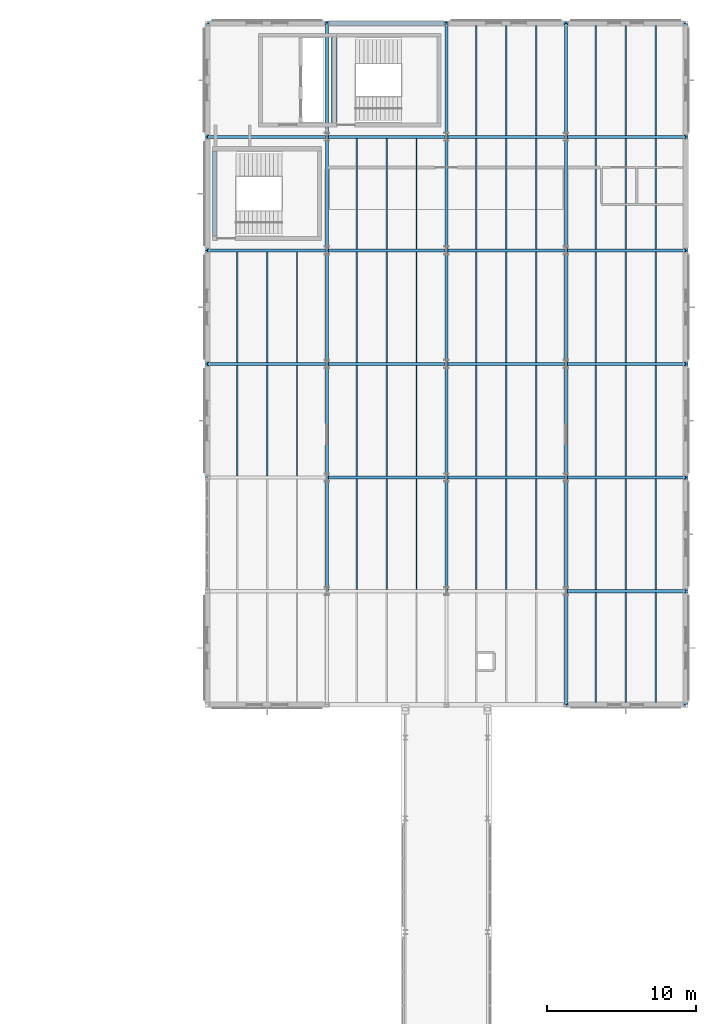
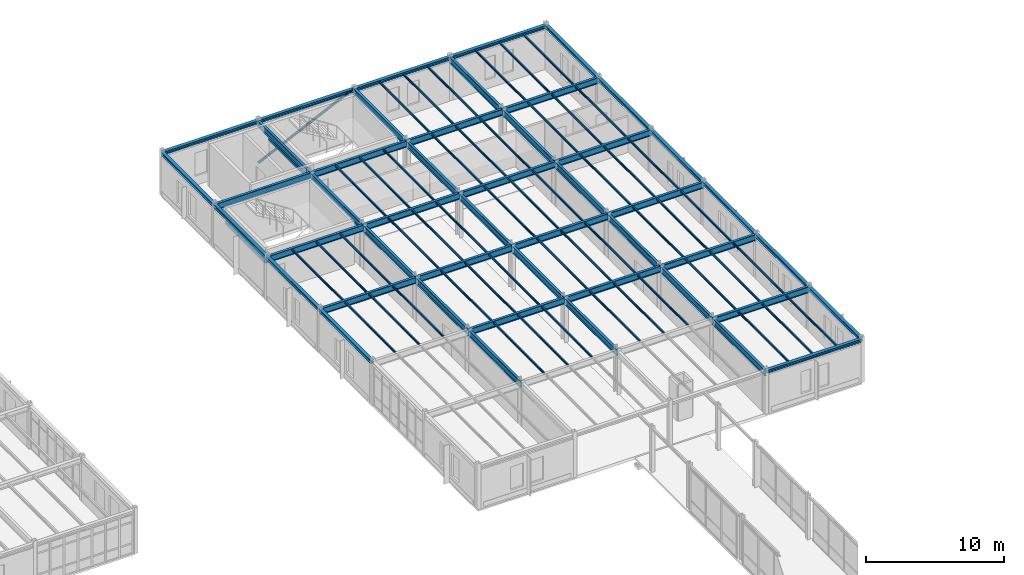
# One storey, part 117 of 165: 100 beams, 1 member.
"""IFC4 building model written with IfcOpenShell, lengths in metres."""

import ifcopenshell
import ifcopenshell.guid

model = None  # the IFC model being written
_history = None  # IfcOwnerHistory: only IFC2X3 demands one
_inside = {}  # id of a spatial element -> (the spatial element, [elements in it])
_under = {}  # id of a project, library or spatial element -> (it, [spatial elements below it])
_declared = {}  # id of a project -> (the project, [libraries it declares])
_typed = {}  # id of a type object -> (the type object, [elements of that type])
_made_of = {}  # id of a material, layer set ... -> (it, [elements and type objects made of it])


def new_model(schema):
    """Start an empty IFC model of exactly this schema.

    Asked for "IFC4X3", IfcOpenShell would pick the latest addendum, in which some entities
    have other attributes; the version numbers below select the first issue.
    IFC2X3 requires an IfcOwnerHistory on every rooted entity: one is made here for all.
    """
    global model, _history
    if schema == "IFC4X3":
        model = ifcopenshell.file(schema_version=(4, 3, 0, 0))
    else:
        model = ifcopenshell.file(schema=schema)
    _inside.clear()
    _under.clear()
    _declared.clear()
    _typed.clear()
    _made_of.clear()
    _history = None
    if model.schema == "IFC2X3":
        org = make("IfcOrganization", Name="unknown")
        user = make(
            "IfcPersonAndOrganization",
            ThePerson=make("IfcPerson", FamilyName="unknown"),
            TheOrganization=org,
        )
        app = make(
            "IfcApplication",
            ApplicationDeveloper=org,
            Version="unknown",
            ApplicationFullName="unknown",
            ApplicationIdentifier="unknown",
        )
        _history = make(
            "IfcOwnerHistory",
            OwningUser=user,
            OwningApplication=app,
            ChangeAction="ADDED",
            CreationDate=0,
        )
    return model


def make(cls, **values):
    """One entity of the class cls with the attributes given. An attribute that is None is left unset."""
    return model.create_entity(
        cls, **{name: value for name, value in values.items() if value is not None}
    )


def rooted(cls, **values):
    """An entity with a GlobalId (a new one), such as an element, a storey or a relation."""
    return make(cls, GlobalId=ifcopenshell.guid.new(), OwnerHistory=_history, **values)


def si_unit(unit_type, name, prefix=None):
    """IfcSIUnit, for example si_unit("LENGTHUNIT", "METRE", prefix="MILLI")."""
    return make("IfcSIUnit", UnitType=unit_type, Prefix=prefix, Name=name)


def assignment(units):
    """IfcUnitAssignment: the units of a project."""
    return None if units is None else make("IfcUnitAssignment", Units=units)


def point(xyz):
    """IfcCartesianPoint."""
    return None if xyz is None else make("IfcCartesianPoint", Coordinates=xyz)


def direction(xyz):
    """IfcDirection."""
    return None if xyz is None else make("IfcDirection", DirectionRatios=xyz)


def frame(location, z_axis=None, x_axis=None):
    """IfcAxis2Placement3D, a coordinate frame: its origin and axes. An axis left out is left unset."""
    return make(
        "IfcAxis2Placement3D",
        Location=point(location),
        Axis=direction(z_axis),
        RefDirection=direction(x_axis),
    )


def frame_2d(location, x_axis=None):
    """IfcAxis2Placement2D, a coordinate frame in the plane: its origin and x axis."""
    return make(
        "IfcAxis2Placement2D", Location=point(location), RefDirection=direction(x_axis)
    )


def origin():
    """The frame at (0, 0, 0) with its axes left unset."""
    return frame((0.0, 0.0, 0.0))


def origin_2d():
    """The frame at (0, 0) in the plane with its x axis left unset."""
    return frame_2d((0.0, 0.0))


def place(relative_to, where):
    """IfcLocalPlacement: puts the frame where relative to a parent placement (None: the world)."""
    return make(
        "IfcLocalPlacement", PlacementRelTo=relative_to, RelativePlacement=where
    )


def context(
    kind, dimensions, precision=None, world=None, true_north=None, identifier=None
):
    """IfcGeometricRepresentationContext, for example the 3D "Model" context."""
    return make(
        "IfcGeometricRepresentationContext",
        ContextIdentifier=identifier,
        ContextType=kind,
        CoordinateSpaceDimension=dimensions,
        Precision=precision,
        WorldCoordinateSystem=world,
        TrueNorth=true_north,
    )


def subcontext(parent, identifier, kind, view, scale=None):
    """IfcGeometricRepresentationSubContext, for example "Body" below "Model"."""
    return make(
        "IfcGeometricRepresentationSubContext",
        ContextIdentifier=identifier,
        ContextType=kind,
        ParentContext=parent,
        TargetScale=scale,
        TargetView=view,
    )


def project(units=None, contexts=None):
    """IfcProject with its units and contexts."""
    return rooted(
        "IfcProject",
        Name="project",
        RepresentationContexts=contexts,
        UnitsInContext=assignment(units),
    )


def spatial(cls, under=None, at=None, **own):
    """A site, building, storey or space (cls), placed at a placement, below another one or the project."""
    s = rooted(cls, ObjectPlacement=at, **own)
    if under is not None:
        _under.setdefault(under.id(), (under, []))[1].append(s)
    return s


def profile(cls, at=None, kind="AREA", **sizes):
    """A parametric profile (cls). Its sizes go by their IFC names, for example OverallWidth=200.0."""
    return make(cls, ProfileType=kind, Position=at, **sizes)


def rectangle(**sizes):
    """IfcRectangleProfileDef."""
    return profile("IfcRectangleProfileDef", **sizes)


def hollow_circle(**sizes):
    """IfcCircleHollowProfileDef."""
    return profile("IfcCircleHollowProfileDef", **sizes)


def i_section(**sizes):
    """IfcIShapeProfileDef."""
    return profile("IfcIShapeProfileDef", **sizes)


def extrude(swept, where, along, depth):
    """IfcExtrudedAreaSolid: the profile swept, set in the frame where, extruded along a direction by depth."""
    return make(
        "IfcExtrudedAreaSolid",
        SweptArea=swept,
        Position=where,
        ExtrudedDirection=direction(along),
        Depth=depth,
    )


def shape(context_of_items, identifier, shape_type, items):
    """IfcShapeRepresentation: the items that make up one representation, for example the "Body"."""
    return make(
        "IfcShapeRepresentation",
        ContextOfItems=context_of_items,
        RepresentationIdentifier=identifier,
        RepresentationType=shape_type,
        Items=items,
    )


def material(Name=None, Category=None):
    """IfcMaterial."""
    return make("IfcMaterial", Name=Name, Category=Category)


def material_profile(
    of_material, cross_section, Name=None, Category=None, Priority=None
):
    """IfcMaterialProfile: a cross section and its material."""
    return make(
        "IfcMaterialProfile",
        Name=Name,
        Material=of_material,
        Profile=cross_section,
        Priority=Priority,
        Category=Category,
    )


def profile_set(profiles, Name=None, composite=None):
    """IfcMaterialProfileSet."""
    return make(
        "IfcMaterialProfileSet",
        Name=Name,
        MaterialProfiles=profiles,
        CompositeProfile=composite,
    )


def made_of(thing, what):
    """Note that an element or type object is made of a material, layer set ...; save() writes the relation."""
    if what is not None:
        _made_of.setdefault(what.id(), (what, []))[1].append(thing)
    return thing


def type_object(cls, material=None, **own):
    """A type object (cls), such as IfcWallType, which elements share."""
    return made_of(rooted(cls, **own), material)


def element(
    cls,
    number,
    at=None,
    inside=None,
    cuts=None,
    type_object=None,
    material=None,
    context=None,
    identifier="Body",
    shape_type=None,
    held_by="IfcProductDefinitionShape",
    body=None,
    shapes=None,
    **own,
):
    """One element of the class cls, such as IfcWall. Its Tag is "e" and its number.

    at: its placement. inside: the storey or other place that contains it. cuts: it is an
    opening in that element (IfcRelVoidsElement). A single representation is given by context,
    identifier, shape_type and body (its items); several are given by shapes. held_by: the class
    of the entity that holds the representations. save() writes the other relations.
    """
    e = rooted(cls, Tag="e%d" % number, ObjectPlacement=at, **own)
    if body is not None:
        shapes = [shape(context, identifier, shape_type, body)]
    if shapes is not None:
        e.Representation = make(held_by, Representations=shapes)
    if inside is not None:
        _inside.setdefault(inside.id(), (inside, []))[1].append(e)
    if cuts is not None:
        rooted(
            "IfcRelVoidsElement", RelatingBuildingElement=cuts, RelatedOpeningElement=e
        )
    if type_object is not None:
        _typed.setdefault(type_object.id(), (type_object, []))[1].append(e)
    return made_of(e, material)


def aggregate(whole, parts):
    """IfcRelAggregates: a whole, such as a stair, and the parts it consists of."""
    return rooted("IfcRelAggregates", RelatingObject=whole, RelatedObjects=parts)


def save(model, path):
    """Write the relations noted so far, then the file.

    IfcRelAggregates (storeys below a building ...), IfcRelContainedInSpatialStructure (elements
    in a storey), IfcRelDefinesByType, IfcRelAssociatesMaterial and IfcRelDeclares: one each for
    every whole, place, type object, material and project.
    """
    for whole, parts in _under.values():
        aggregate(whole, parts)
    for where, things in _inside.values():
        rooted(
            "IfcRelContainedInSpatialStructure",
            RelatedElements=things,
            RelatingStructure=where,
        )
    for kind, things in _typed.values():
        rooted("IfcRelDefinesByType", RelatedObjects=things, RelatingType=kind)
    for what, things in _made_of.values():
        rooted("IfcRelAssociatesMaterial", RelatedObjects=things, RelatingMaterial=what)
    for by, libraries in _declared.values():
        rooted("IfcRelDeclares", RelatingContext=by, RelatedDefinitions=libraries)
    model.write(path)


model = new_model("IFC4")

# Units and contexts
model_context = context("Model", 3, precision=1e-05, world=origin(), true_north=direction((0.0, 1.0)))
body_context = subcontext(model_context, "Body", "Model", "MODEL_VIEW")
ifc_project = project(units=[si_unit("LENGTHUNIT", "METRE"), si_unit("AREAUNIT", "SQUARE_METRE"), si_unit("VOLUMEUNIT", "CUBIC_METRE"), si_unit("PLANEANGLEUNIT", "RADIAN"), si_unit("MASSUNIT", "GRAM", prefix="KILO")], contexts=[model_context])

# Site, building, storey
site_placement = place(None, origin())
site = spatial("IfcSite", under=ifc_project, at=site_placement, CompositionType="ELEMENT")
building_placement = place(site_placement, origin())
building = spatial("IfcBuilding", under=site, at=building_placement, Name="Montecoro Central Library", CompositionType="ELEMENT")
storey_placement = place(building_placement, frame((0.0, 0.0, 5.10009765625)))
storey = spatial("IfcBuildingStorey", under=building, at=storey_placement, Name="L01", CompositionType="ELEMENT", Elevation=5.10009765625)

# Beams
ifc_material_1 = material(Name="Steel S355J2", Category="steel")
ifc_material_profile_1 = material_profile(ifc_material_1, i_section(OverallWidth=0.2099609375, OverallDepth=0.550048828125, WebThickness=0.010986328125, FlangeThickness=0.01708984375, at=origin_2d()), Name="IPE 550")
ifc_profile_set_1 = profile_set([ifc_material_profile_1], Name="Steel S355J2")
beam_type_1 = type_object("IfcBeamType", Name="BM-G-IPE550", PredefinedType="USERDEFINED", material=ifc_profile_set_1)
for number, where, z_axis, x_axis, name in (
    (1, (165.0048828125, 81.0, 3.5498046875), (1.0, 0.0, 0.0), (0.0, 1.0, 0.0), "V5-L01-BX-2122-L"),
    (2, (149.0048828125, 88.60009765625, 3.5498046875), (1.0, 0.0, 0.0), (0.0, 1.0, 0.0), "V5-L01-BX-1920-M"),
    (3, (157.0048828125, 88.60009765625, 3.5498046875), (1.0, 0.0, 0.0), (0.0, 1.0, 0.0), "V5-L01-BX-2021-M"),
    (4, (165.0048828125, 88.60009765625, 3.5498046875), (1.0, 0.0, 0.0), (0.0, 1.0, 0.0), "V5-L01-BX-2122-M"),
    (5, (141.0048828125, 96.199951171875, 3.5498046875), (1.0, 0.0, 0.0), (0.0, 1.0, 0.0), "V5-L01-BX-1819-N"),
    (6, (149.0048828125, 96.199951171875, 3.5498046875), (1.0, 0.0, 0.0), (0.0, 1.0, 0.0), "V5-L01-BX-1920-N"),
    (7, (157.0048828125, 96.199951171875, 3.5498046875), (1.0, 0.0, 0.0), (0.0, 1.0, 0.0), "V5-L01-BX-2021-N"),
    (8, (165.0048828125, 96.199951171875, 3.5498046875), (1.0, 0.0, 0.0), (0.0, 1.0, 0.0), "V5-L01-BX-2122-N"),
    (9, (141.0048828125, 103.800048828125, 3.5498046875), (1.0, 0.0, 0.0), (0.0, 1.0, 0.0), "V5-L01-BX-1819-P"),
    (10, (149.0048828125, 103.800048828125, 3.5498046875), (1.0, 0.0, 0.0), (0.0, 1.0, 0.0), "V5-L01-BX-1920-P"),
    (11, (157.0048828125, 103.800048828125, 3.5498046875), (1.0, 0.0, 0.0), (0.0, 1.0, 0.0), "V5-L01-BX-2021-P"),
    (12, (165.0048828125, 103.800048828125, 3.5498046875), (1.0, 0.0, 0.0), (0.0, 1.0, 0.0), "V5-L01-BX-2122-P"),
    (13, (141.0048828125, 111.39990234375, 3.5498046875), (1.0, 0.0, 0.0), (0.0, 1.0, 0.0), "V5-L01-BX-1819-Q"),
    (14, (149.0048828125, 111.39990234375, 3.5498046875), (1.0, 0.0, 0.0), (0.0, 1.0, 0.0), "V5-L01-BX-1920-Q"),
    (15, (157.0048828125, 111.39990234375, 3.5498046875), (1.0, 0.0, 0.0), (0.0, 1.0, 0.0), "V5-L01-BX-2021-Q"),
    (16, (165.0048828125, 111.39990234375, 3.5498046875), (1.0, 0.0, 0.0), (0.0, 1.0, 0.0), "V5-L01-BX-2122-Q"),
):
    element("IfcBeam", number, at=place(storey_placement, frame(where, z_axis=z_axis, x_axis=x_axis)), inside=storey, type_object=beam_type_1, Name=name, ObjectType="GIRDER", PredefinedType="USERDEFINED", context=body_context, shape_type="SweptSolid", body=[
        extrude(i_section(OverallWidth=0.2099609375, OverallDepth=0.550048828125, WebThickness=0.010986328125, FlangeThickness=0.01708984375, at=origin_2d()), origin(), (0.0, 0.0, 1.0), 7.990234375),
    ])
for number, where, z_axis, x_axis, name in (
    (17, (149.0, 81.0048828125, 3.5498046875), (0.0, 1.0, 0.0), (-1.0, 0.0, 0.0), "V5-L01-BY-19-LM"),
    (18, (149.0, 88.60498046875, 3.5498046875), (0.0, 1.0, 0.0), (-1.0, 0.0, 0.0), "V5-L01-BY-19-MN"),
):
    element("IfcBeam", number, at=place(storey_placement, frame(where, z_axis=z_axis, x_axis=x_axis)), inside=storey, type_object=beam_type_1, Name=name, ObjectType="GIRDER", PredefinedType="USERDEFINED", context=body_context, shape_type="SweptSolid", body=[
        extrude(i_section(OverallWidth=0.2099609375, OverallDepth=0.550048828125, WebThickness=0.010986328125, FlangeThickness=0.01708984375, at=origin_2d()), origin(), (0.0, 0.0, 1.0), 7.590087890625),
    ])
beam_1_placement = place(storey_placement, frame((149.0, 96.205078125, 3.5498046875), z_axis=(0.0, 1.0, 0.0), x_axis=(-1.0, 0.0, 0.0)))
element("IfcBeam", 19, at=beam_1_placement, inside=storey, type_object=beam_type_1, Name="V5-L01-BY-19-NP", ObjectType="GIRDER", PredefinedType="USERDEFINED", context=body_context, shape_type="SweptSolid", body=[
    extrude(i_section(OverallWidth=0.2099609375, OverallDepth=0.550048828125, WebThickness=0.010986328125, FlangeThickness=0.01708984375, at=origin_2d()), origin(), (0.0, 0.0, 1.0), 7.58984375),
])
for number, where, z_axis, x_axis, name in (
    (20, (149.0, 103.804931640625, 3.5498046875), (0.0, 1.0, 0.0), (-1.0, 0.0, 0.0), "V5-L01-BY-19-PQ"),
    (21, (149.0, 111.405029296875, 3.5498046875), (0.0, 1.0, 0.0), (-1.0, 0.0, 0.0), "V5-L01-BY-19-QR"),
    (22, (157.0, 81.0048828125, 3.5498046875), (0.0, 1.0, 0.0), (-1.0, 0.0, 0.0), "V5-L01-BY-20-LM"),
    (23, (157.0, 88.60498046875, 3.5498046875), (0.0, 1.0, 0.0), (-1.0, 0.0, 0.0), "V5-L01-BY-20-MN"),
):
    element("IfcBeam", number, at=place(storey_placement, frame(where, z_axis=z_axis, x_axis=x_axis)), inside=storey, type_object=beam_type_1, Name=name, ObjectType="GIRDER", PredefinedType="USERDEFINED", context=body_context, shape_type="SweptSolid", body=[
        extrude(i_section(OverallWidth=0.2099609375, OverallDepth=0.550048828125, WebThickness=0.010986328125, FlangeThickness=0.01708984375, at=origin_2d()), origin(), (0.0, 0.0, 1.0), 7.590087890625),
    ])
beam_2_placement = place(storey_placement, frame((157.0, 96.205078125, 3.5498046875), z_axis=(0.0, 1.0, 0.0), x_axis=(-1.0, 0.0, 0.0)))
element("IfcBeam", 24, at=beam_2_placement, inside=storey, type_object=beam_type_1, Name="V5-L01-BY-20-NP", ObjectType="GIRDER", PredefinedType="USERDEFINED", context=body_context, shape_type="SweptSolid", body=[
    extrude(i_section(OverallWidth=0.2099609375, OverallDepth=0.550048828125, WebThickness=0.010986328125, FlangeThickness=0.01708984375, at=origin_2d()), origin(), (0.0, 0.0, 1.0), 7.58984375),
])
for number, where, z_axis, x_axis, name in (
    (25, (157.0, 103.804931640625, 3.5498046875), (0.0, 1.0, 0.0), (-1.0, 0.0, 0.0), "V5-L01-BY-20-PQ"),
    (26, (157.0, 111.405029296875, 3.5498046875), (0.0, 1.0, 0.0), (-1.0, 0.0, 0.0), "V5-L01-BY-20-QR"),
    (27, (165.0, 73.405029296875, 3.5498046875), (0.0, 1.0, 0.0), (-1.0, 0.0, 0.0), "V5-L01-BY-21-KL"),
    (28, (165.0, 81.0048828125, 3.5498046875), (0.0, 1.0, 0.0), (-1.0, 0.0, 0.0), "V5-L01-BY-21-LM"),
    (29, (165.0, 88.60498046875, 3.5498046875), (0.0, 1.0, 0.0), (-1.0, 0.0, 0.0), "V5-L01-BY-21-MN"),
):
    element("IfcBeam", number, at=place(storey_placement, frame(where, z_axis=z_axis, x_axis=x_axis)), inside=storey, type_object=beam_type_1, Name=name, ObjectType="GIRDER", PredefinedType="USERDEFINED", context=body_context, shape_type="SweptSolid", body=[
        extrude(i_section(OverallWidth=0.2099609375, OverallDepth=0.550048828125, WebThickness=0.010986328125, FlangeThickness=0.01708984375, at=origin_2d()), origin(), (0.0, 0.0, 1.0), 7.590087890625),
    ])
beam_3_placement = place(storey_placement, frame((165.0, 96.205078125, 3.5498046875), z_axis=(0.0, 1.0, 0.0), x_axis=(-1.0, 0.0, 0.0)))
element("IfcBeam", 30, at=beam_3_placement, inside=storey, type_object=beam_type_1, Name="V5-L01-BY-21-NP", ObjectType="GIRDER", PredefinedType="USERDEFINED", context=body_context, shape_type="SweptSolid", body=[
    extrude(i_section(OverallWidth=0.2099609375, OverallDepth=0.550048828125, WebThickness=0.010986328125, FlangeThickness=0.01708984375, at=origin_2d()), origin(), (0.0, 0.0, 1.0), 7.58984375),
])
for number, where, z_axis, x_axis, name in (
    (31, (165.0, 103.804931640625, 3.5498046875), (0.0, 1.0, 0.0), (-1.0, 0.0, 0.0), "V5-L01-BY-21-PQ"),
    (32, (165.0, 111.405029296875, 3.5498046875), (0.0, 1.0, 0.0), (-1.0, 0.0, 0.0), "V5-L01-BY-21-QR"),
):
    element("IfcBeam", number, at=place(storey_placement, frame(where, z_axis=z_axis, x_axis=x_axis)), inside=storey, type_object=beam_type_1, Name=name, ObjectType="GIRDER", PredefinedType="USERDEFINED", context=body_context, shape_type="SweptSolid", body=[
        extrude(i_section(OverallWidth=0.2099609375, OverallDepth=0.550048828125, WebThickness=0.010986328125, FlangeThickness=0.01708984375, at=origin_2d()), origin(), (0.0, 0.0, 1.0), 7.590087890625),
    ])
ifc_material_2 = material(Name="Steel S355", Category="steel")
ifc_material_profile_2 = material_profile(ifc_material_2, i_section(OverallWidth=0.091064453125, OverallDepth=0.179931640625, WebThickness=0.00537109375, FlangeThickness=0.008056640625, at=origin_2d()), Name="IPE 180")
ifc_profile_set_2 = profile_set([ifc_material_profile_2], Name="Steel S355")
beam_type_2 = type_object("IfcBeamType", Name="BM-J-IPE180", PredefinedType="JOIST", material=ifc_profile_set_2)
for number, where, z_axis, x_axis, name in (
    (33, (143.0, 88.701904296875, 3.73486328125), (0.0, 1.0, 0.0), (-1.0, 0.0, 0.0), "V5-L01-JS-1819-MN-1"),
    (34, (145.0, 88.701904296875, 3.73486328125), (0.0, 1.0, 0.0), (-1.0, 0.0, 0.0), "V5-L01-JS-1819-MN-2"),
    (35, (147.0, 88.701904296875, 3.73486328125), (0.0, 1.0, 0.0), (-1.0, 0.0, 0.0), "V5-L01-JS-1819-MN-3"),
    (36, (143.0, 96.302001953125, 3.73486328125), (0.0, 1.0, 0.0), (-1.0, 0.0, 0.0), "V5-L01-JS-1819-NP-1"),
    (37, (145.0, 96.302001953125, 3.73486328125), (0.0, 1.0, 0.0), (-1.0, 0.0, 0.0), "V5-L01-JS-1819-NP-2"),
    (38, (147.0, 96.302001953125, 3.73486328125), (0.0, 1.0, 0.0), (-1.0, 0.0, 0.0), "V5-L01-JS-1819-NP-3"),
    (39, (151.0, 81.10205078125, 3.73486328125), (0.0, 1.0, 0.0), (-1.0, 0.0, 0.0), "V5-L01-JS-1920-LM-1"),
    (40, (153.0, 81.10205078125, 3.73486328125), (0.0, 1.0, 0.0), (-1.0, 0.0, 0.0), "V5-L01-JS-1920-LM-2"),
    (41, (155.0, 81.10205078125, 3.73486328125), (0.0, 1.0, 0.0), (-1.0, 0.0, 0.0), "V5-L01-JS-1920-LM-3"),
    (42, (151.0, 88.701904296875, 3.73486328125), (0.0, 1.0, 0.0), (-1.0, 0.0, 0.0), "V5-L01-JS-1920-MN-1"),
    (43, (153.0, 88.701904296875, 3.73486328125), (0.0, 1.0, 0.0), (-1.0, 0.0, 0.0), "V5-L01-JS-1920-MN-2"),
    (44, (155.0, 88.701904296875, 3.73486328125), (0.0, 1.0, 0.0), (-1.0, 0.0, 0.0), "V5-L01-JS-1920-MN-3"),
    (45, (151.0, 96.302001953125, 3.73486328125), (0.0, 1.0, 0.0), (-1.0, 0.0, 0.0), "V5-L01-JS-1920-NP-1"),
    (46, (153.0, 96.302001953125, 3.73486328125), (0.0, 1.0, 0.0), (-1.0, 0.0, 0.0), "V5-L01-JS-1920-NP-2"),
    (47, (155.0, 96.302001953125, 3.73486328125), (0.0, 1.0, 0.0), (-1.0, 0.0, 0.0), "V5-L01-JS-1920-NP-3"),
    (48, (151.0, 103.902099609375, 3.73486328125), (0.0, 1.0, 0.0), (-1.0, 0.0, 0.0), "V5-L01-JS-1920-PQ-1"),
    (49, (153.0, 103.902099609375, 3.73486328125), (0.0, 1.0, 0.0), (-1.0, 0.0, 0.0), "V5-L01-JS-1920-PQ-2"),
    (50, (155.0, 103.902099609375, 3.73486328125), (0.0, 1.0, 0.0), (-1.0, 0.0, 0.0), "V5-L01-JS-1920-PQ-3"),
    (51, (159.0, 81.10205078125, 3.73486328125), (0.0, 1.0, 0.0), (-1.0, 0.0, 0.0), "V5-L01-JS-2021-LM-1"),
    (52, (161.0, 81.10205078125, 3.73486328125), (0.0, 1.0, 0.0), (-1.0, 0.0, 0.0), "V5-L01-JS-2021-LM-2"),
    (53, (163.0, 81.10205078125, 3.73486328125), (0.0, 1.0, 0.0), (-1.0, 0.0, 0.0), "V5-L01-JS-2021-LM-3"),
    (54, (159.0, 88.701904296875, 3.73486328125), (0.0, 1.0, 0.0), (-1.0, 0.0, 0.0), "V5-L01-JS-2021-MN-1"),
    (55, (161.0, 88.701904296875, 3.73486328125), (0.0, 1.0, 0.0), (-1.0, 0.0, 0.0), "V5-L01-JS-2021-MN-2"),
    (56, (163.0, 88.701904296875, 3.73486328125), (0.0, 1.0, 0.0), (-1.0, 0.0, 0.0), "V5-L01-JS-2021-MN-3"),
    (57, (159.0, 96.302001953125, 3.73486328125), (0.0, 1.0, 0.0), (-1.0, 0.0, 0.0), "V5-L01-JS-2021-NP-1"),
    (58, (161.0, 96.302001953125, 3.73486328125), (0.0, 1.0, 0.0), (-1.0, 0.0, 0.0), "V5-L01-JS-2021-NP-2"),
    (59, (163.0, 96.302001953125, 3.73486328125), (0.0, 1.0, 0.0), (-1.0, 0.0, 0.0), "V5-L01-JS-2021-NP-3"),
    (60, (159.0, 103.902099609375, 3.73486328125), (0.0, 1.0, 0.0), (-1.0, 0.0, 0.0), "V5-L01-JS-2021-PQ-1"),
    (61, (161.0, 103.902099609375, 3.73486328125), (0.0, 1.0, 0.0), (-1.0, 0.0, 0.0), "V5-L01-JS-2021-PQ-2"),
    (62, (163.0, 103.902099609375, 3.73486328125), (0.0, 1.0, 0.0), (-1.0, 0.0, 0.0), "V5-L01-JS-2021-PQ-3"),
):
    element("IfcBeam", number, at=place(storey_placement, frame(where, z_axis=z_axis, x_axis=x_axis)), inside=storey, type_object=beam_type_2, Name=name, PredefinedType="JOIST", context=body_context, shape_type="SweptSolid", body=[
        extrude(i_section(OverallWidth=0.091064453125, OverallDepth=0.179931640625, WebThickness=0.00537109375, FlangeThickness=0.008056640625, at=origin_2d()), origin(), (0.0, 0.0, 1.0), 7.39599609375),
    ])
for number, where, z_axis, x_axis, name in (
    (63, (159.0, 111.501953125, 3.73486328125), (0.0, 1.0, 0.0), (-1.0, 0.0, 0.0), "V5-L01-JS-2021-QR-1"),
    (64, (161.0, 111.501953125, 3.73486328125), (0.0, 1.0, 0.0), (-1.0, 0.0, 0.0), "V5-L01-JS-2021-QR-2"),
    (65, (163.0, 111.501953125, 3.73486328125), (0.0, 1.0, 0.0), (-1.0, 0.0, 0.0), "V5-L01-JS-2021-QR-3"),
):
    element("IfcBeam", number, at=place(storey_placement, frame(where, z_axis=z_axis, x_axis=x_axis)), inside=storey, type_object=beam_type_2, Name=name, PredefinedType="JOIST", context=body_context, shape_type="SweptSolid", body=[
        extrude(i_section(OverallWidth=0.091064453125, OverallDepth=0.179931640625, WebThickness=0.00537109375, FlangeThickness=0.008056640625, at=origin_2d()), origin(), (0.0, 0.0, 1.0), 7.361083984375),
    ])
for number, where, z_axis, x_axis, name in (
    (66, (167.0, 73.537109375, 3.73486328125), (0.0, 1.0, 0.0), (-1.0, 0.0, 0.0), "V5-L01-JS-2122-KL-1"),
    (67, (169.0, 73.537109375, 3.73486328125), (0.0, 1.0, 0.0), (-1.0, 0.0, 0.0), "V5-L01-JS-2122-KL-2"),
    (68, (171.0, 73.537109375, 3.73486328125), (0.0, 1.0, 0.0), (-1.0, 0.0, 0.0), "V5-L01-JS-2122-KL-3"),
):
    element("IfcBeam", number, at=place(storey_placement, frame(where, z_axis=z_axis, x_axis=x_axis)), inside=storey, type_object=beam_type_2, Name=name, PredefinedType="JOIST", context=body_context, shape_type="SweptSolid", body=[
        extrude(i_section(OverallWidth=0.091064453125, OverallDepth=0.179931640625, WebThickness=0.00537109375, FlangeThickness=0.008056640625, at=origin_2d()), origin(), (0.0, 0.0, 1.0), 7.36083984375),
    ])
for number, where, z_axis, x_axis, name in (
    (69, (167.0, 81.10205078125, 3.73486328125), (0.0, 1.0, 0.0), (-1.0, 0.0, 0.0), "V5-L01-JS-2122-LM-1"),
    (70, (169.0, 81.10205078125, 3.73486328125), (0.0, 1.0, 0.0), (-1.0, 0.0, 0.0), "V5-L01-JS-2122-LM-2"),
    (71, (171.0, 81.10205078125, 3.73486328125), (0.0, 1.0, 0.0), (-1.0, 0.0, 0.0), "V5-L01-JS-2122-LM-3"),
    (72, (167.0, 88.701904296875, 3.73486328125), (0.0, 1.0, 0.0), (-1.0, 0.0, 0.0), "V5-L01-JS-2122-MN-1"),
    (73, (169.0, 88.701904296875, 3.73486328125), (0.0, 1.0, 0.0), (-1.0, 0.0, 0.0), "V5-L01-JS-2122-MN-2"),
    (74, (171.0, 88.701904296875, 3.73486328125), (0.0, 1.0, 0.0), (-1.0, 0.0, 0.0), "V5-L01-JS-2122-MN-3"),
    (75, (167.0, 96.302001953125, 3.73486328125), (0.0, 1.0, 0.0), (-1.0, 0.0, 0.0), "V5-L01-JS-2122-NP-1"),
    (76, (169.0, 96.302001953125, 3.73486328125), (0.0, 1.0, 0.0), (-1.0, 0.0, 0.0), "V5-L01-JS-2122-NP-2"),
    (77, (171.0, 96.302001953125, 3.73486328125), (0.0, 1.0, 0.0), (-1.0, 0.0, 0.0), "V5-L01-JS-2122-NP-3"),
    (78, (167.0, 103.902099609375, 3.73486328125), (0.0, 1.0, 0.0), (-1.0, 0.0, 0.0), "V5-L01-JS-2122-PQ-1"),
    (79, (169.0, 103.902099609375, 3.73486328125), (0.0, 1.0, 0.0), (-1.0, 0.0, 0.0), "V5-L01-JS-2122-PQ-2"),
    (80, (171.0, 103.902099609375, 3.73486328125), (0.0, 1.0, 0.0), (-1.0, 0.0, 0.0), "V5-L01-JS-2122-PQ-3"),
):
    element("IfcBeam", number, at=place(storey_placement, frame(where, z_axis=z_axis, x_axis=x_axis)), inside=storey, type_object=beam_type_2, Name=name, PredefinedType="JOIST", context=body_context, shape_type="SweptSolid", body=[
        extrude(i_section(OverallWidth=0.091064453125, OverallDepth=0.179931640625, WebThickness=0.00537109375, FlangeThickness=0.008056640625, at=origin_2d()), origin(), (0.0, 0.0, 1.0), 7.39599609375),
    ])
for number, where, z_axis, x_axis, name in (
    (81, (167.0, 111.501953125, 3.73486328125), (0.0, 1.0, 0.0), (-1.0, 0.0, 0.0), "V5-L01-JS-2122-QR-1"),
    (82, (169.0, 111.501953125, 3.73486328125), (0.0, 1.0, 0.0), (-1.0, 0.0, 0.0), "V5-L01-JS-2122-QR-2"),
    (83, (171.0, 111.501953125, 3.73486328125), (0.0, 1.0, 0.0), (-1.0, 0.0, 0.0), "V5-L01-JS-2122-QR-3"),
):
    element("IfcBeam", number, at=place(storey_placement, frame(where, z_axis=z_axis, x_axis=x_axis)), inside=storey, type_object=beam_type_2, Name=name, PredefinedType="JOIST", context=body_context, shape_type="SweptSolid", body=[
        extrude(i_section(OverallWidth=0.091064453125, OverallDepth=0.179931640625, WebThickness=0.00537109375, FlangeThickness=0.008056640625, at=origin_2d()), origin(), (0.0, 0.0, 1.0), 7.361083984375),
    ])
ifc_material_3 = material(Name="Concrete C35/45", Category="concrete")
ifc_material_profile_3 = material_profile(ifc_material_3, rectangle(XDim=0.35009765625, YDim=0.60009765625, at=origin_2d()), Name="RC LNT 600x350")
ifc_profile_set_3 = profile_set([ifc_material_profile_3], Name="Concrete C35/45")
beam_type_3 = type_object("IfcBeamType", Name="BM-LN-RC01", PredefinedType="LINTEL", material=ifc_profile_set_3)
beam_4_placement = place(storey_placement, frame((149.5, 112.35009765625, 2.75), z_axis=(0.0, 1.0, 0.0), x_axis=(-1.0, 0.0, 0.0)))
element("IfcBeam", 84, at=beam_4_placement, inside=storey, type_object=beam_type_3, Name="C6-L01-LNT", PredefinedType="LINTEL", context=body_context, shape_type="SweptSolid", body=[
    extrude(rectangle(XDim=0.35009765625, YDim=0.60009765625, at=origin_2d()), origin(), (0.0, 0.0, 1.0), 5.699951171875),
])
ifc_material_profile_4 = material_profile(ifc_material_3, rectangle(XDim=0.320068359375, YDim=0.5, at=origin_2d()), Name="RC LNT 500x320")
ifc_profile_set_4 = profile_set([ifc_material_profile_4], Name="Concrete C35/45")
beam_type_4 = type_object("IfcBeamType", Name="BM-LN-RC03", PredefinedType="LINTEL", material=ifc_profile_set_4)
beam_5_placement = place(storey_placement, frame((141.5, 104.75, 2.699951171875), z_axis=(0.0, 1.0, 0.0), x_axis=(-1.0, 0.0, 0.0)))
element("IfcBeam", 85, at=beam_5_placement, inside=storey, type_object=beam_type_4, Name="C8-L01-LNT", PredefinedType="LINTEL", context=body_context, shape_type="SweptSolid", body=[
    extrude(rectangle(XDim=0.320068359375, YDim=0.5, at=origin_2d()), origin(), (0.0, 0.0, 1.0), 5.699951171875),
])
ifc_material_profile_5 = material_profile(ifc_material_2, i_section(OverallWidth=0.280029296875, OverallDepth=0.27001953125, WebThickness=0.008056640625, FlangeThickness=0.012939453125, at=origin_2d()), Name="HEA 280")
ifc_profile_set_5 = profile_set([ifc_material_profile_5], Name="Steel S355")
beam_type_5 = type_object("IfcBeamType", Name="BM-SP-HEA280", PredefinedType="SPANDREL", material=ifc_profile_set_5)
for number, where, z_axis, x_axis, name in (
    (86, (165.0048828125, 73.39990234375, 3.68994140625), (1.0, 0.0, 0.0), (0.0, 1.0, 0.0), "V5-L01-BX-2122-K"),
    (87, (141.0048828125, 119.0, 3.68994140625), (1.0, 0.0, 0.0), (0.0, 1.0, 0.0), "V5-L01-BX-1819-R"),
    (88, (149.0048828125, 119.0, 3.68994140625), (1.0, 0.0, 0.0), (0.0, 1.0, 0.0), "V5-L01-BX-1920-R"),
    (89, (157.0048828125, 119.0, 3.68994140625), (1.0, 0.0, 0.0), (0.0, 1.0, 0.0), "V5-L01-BX-2021-R"),
    (90, (165.0048828125, 119.0, 3.68994140625), (1.0, 0.0, 0.0), (0.0, 1.0, 0.0), "V5-L01-BX-2122-R"),
):
    element("IfcBeam", number, at=place(storey_placement, frame(where, z_axis=z_axis, x_axis=x_axis)), inside=storey, type_object=beam_type_5, Name=name, PredefinedType="SPANDREL", context=body_context, shape_type="SweptSolid", body=[
        extrude(i_section(OverallWidth=0.280029296875, OverallDepth=0.27001953125, WebThickness=0.008056640625, FlangeThickness=0.012939453125, at=origin_2d()), origin(), (0.0, 0.0, 1.0), 7.990234375),
    ])
beam_6_placement = place(storey_placement, frame((141.0, 88.60498046875, 3.68994140625), z_axis=(0.0, 1.0, 0.0), x_axis=(-1.0, 0.0, 0.0)))
element("IfcBeam", 91, at=beam_6_placement, inside=storey, type_object=beam_type_5, Name="V5-L01-BY-18-MN", PredefinedType="SPANDREL", context=body_context, shape_type="SweptSolid", body=[
    extrude(i_section(OverallWidth=0.280029296875, OverallDepth=0.27001953125, WebThickness=0.008056640625, FlangeThickness=0.012939453125, at=origin_2d()), origin(), (0.0, 0.0, 1.0), 7.590087890625),
])
beam_7_placement = place(storey_placement, frame((141.0, 96.205078125, 3.68994140625), z_axis=(0.0, 1.0, 0.0), x_axis=(-1.0, 0.0, 0.0)))
element("IfcBeam", 92, at=beam_7_placement, inside=storey, type_object=beam_type_5, Name="V5-L01-BY-18-NP", PredefinedType="SPANDREL", context=body_context, shape_type="SweptSolid", body=[
    extrude(i_section(OverallWidth=0.280029296875, OverallDepth=0.27001953125, WebThickness=0.008056640625, FlangeThickness=0.012939453125, at=origin_2d()), origin(), (0.0, 0.0, 1.0), 7.58984375),
])
for number, where, z_axis, x_axis, name in (
    (93, (141.0, 103.804931640625, 3.68994140625), (0.0, 1.0, 0.0), (-1.0, 0.0, 0.0), "V5-L01-BY-18-PQ"),
    (94, (141.0, 111.405029296875, 3.68994140625), (0.0, 1.0, 0.0), (-1.0, 0.0, 0.0), "V5-L01-BY-18-QR"),
    (95, (173.0, 73.405029296875, 3.68994140625), (0.0, 1.0, 0.0), (-1.0, 0.0, 0.0), "V5-L01-BY-22-KL"),
    (96, (173.0, 81.0048828125, 3.68994140625), (0.0, 1.0, 0.0), (-1.0, 0.0, 0.0), "V5-L01-BY-22-LM"),
    (97, (173.0, 88.60498046875, 3.68994140625), (0.0, 1.0, 0.0), (-1.0, 0.0, 0.0), "V5-L01-BY-22-MN"),
):
    element("IfcBeam", number, at=place(storey_placement, frame(where, z_axis=z_axis, x_axis=x_axis)), inside=storey, type_object=beam_type_5, Name=name, PredefinedType="SPANDREL", context=body_context, shape_type="SweptSolid", body=[
        extrude(i_section(OverallWidth=0.280029296875, OverallDepth=0.27001953125, WebThickness=0.008056640625, FlangeThickness=0.012939453125, at=origin_2d()), origin(), (0.0, 0.0, 1.0), 7.590087890625),
    ])
beam_8_placement = place(storey_placement, frame((173.0, 96.205078125, 3.68994140625), z_axis=(0.0, 1.0, 0.0), x_axis=(-1.0, 0.0, 0.0)))
element("IfcBeam", 98, at=beam_8_placement, inside=storey, type_object=beam_type_5, Name="V5-L01-BY-22-NP", PredefinedType="SPANDREL", context=body_context, shape_type="SweptSolid", body=[
    extrude(i_section(OverallWidth=0.280029296875, OverallDepth=0.27001953125, WebThickness=0.008056640625, FlangeThickness=0.012939453125, at=origin_2d()), origin(), (0.0, 0.0, 1.0), 7.58984375),
])
for number, where, z_axis, x_axis, name in (
    (99, (173.0, 103.804931640625, 3.68994140625), (0.0, 1.0, 0.0), (-1.0, 0.0, 0.0), "V5-L01-BY-22-PQ"),
    (100, (173.0, 111.405029296875, 3.68994140625), (0.0, 1.0, 0.0), (-1.0, 0.0, 0.0), "V5-L01-BY-22-QR"),
):
    element("IfcBeam", number, at=place(storey_placement, frame(where, z_axis=z_axis, x_axis=x_axis)), inside=storey, type_object=beam_type_5, Name=name, PredefinedType="SPANDREL", context=body_context, shape_type="SweptSolid", body=[
        extrude(i_section(OverallWidth=0.280029296875, OverallDepth=0.27001953125, WebThickness=0.008056640625, FlangeThickness=0.012939453125, at=origin_2d()), origin(), (0.0, 0.0, 1.0), 7.590087890625),
    ])

# Member
ifc_material_profile_6 = material_profile(ifc_material_2, hollow_circle(Radius=0.109619140625, WallThickness=0.010009765625, at=origin_2d()), Name="CHS 219.1x10.0")
ifc_profile_set_6 = profile_set([ifc_material_profile_6], Name="Steel S355")
member_type = type_object("IfcMemberType", Name="MB-BR-CHS219", PredefinedType="BRACE", material=ifc_profile_set_6)
member_placement = place(storey_placement, frame((149.0, 119.0, 0.010009765625), z_axis=(0.903499651379, 0.0, 0.428588823884), x_axis=(0.0, 1.0, 0.0)))
element("IfcMember", 101, at=member_placement, inside=storey, type_object=member_type, Name="V5-L01-BRN1", PredefinedType="BRACE", context=body_context, shape_type="SweptSolid", body=[
    extrude(hollow_circle(Radius=0.109619140625, WallThickness=0.010009765625, at=origin_2d()), origin(), (0.0, 0.0, 1.0), 8.8544921875),
])

save(model, "model.ifc")
